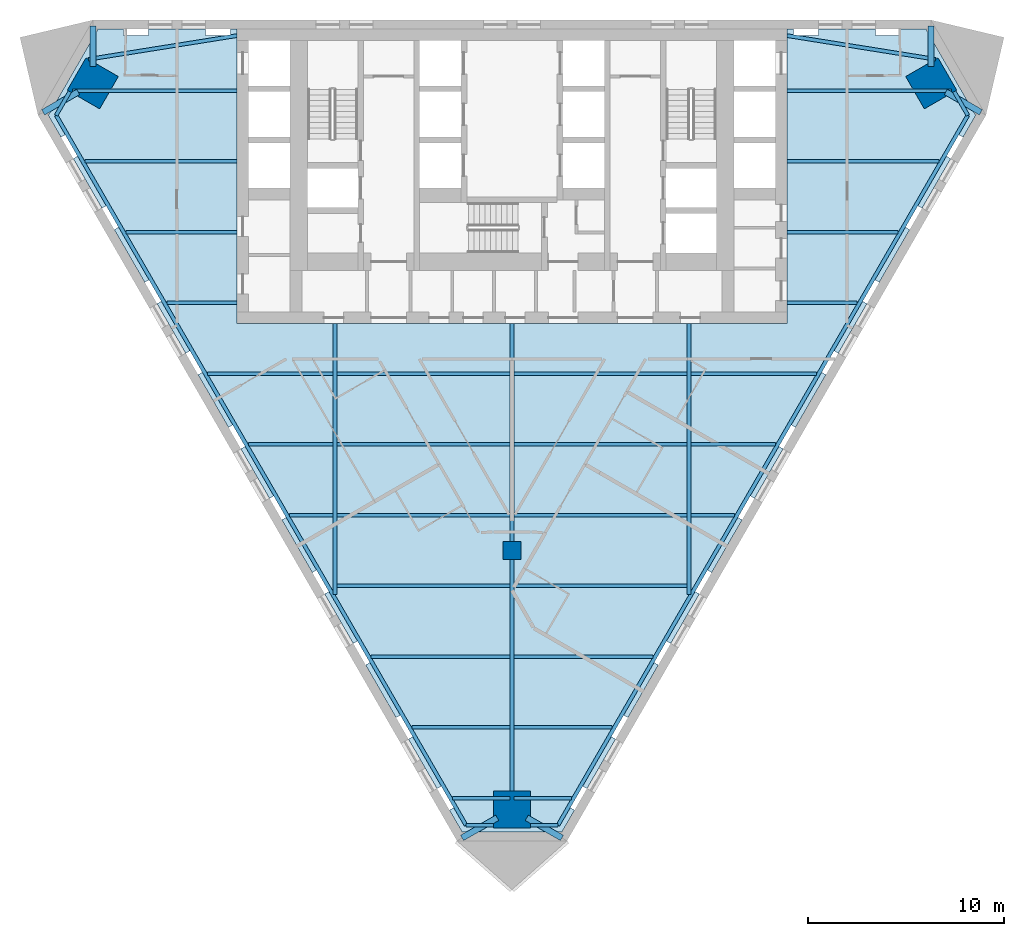
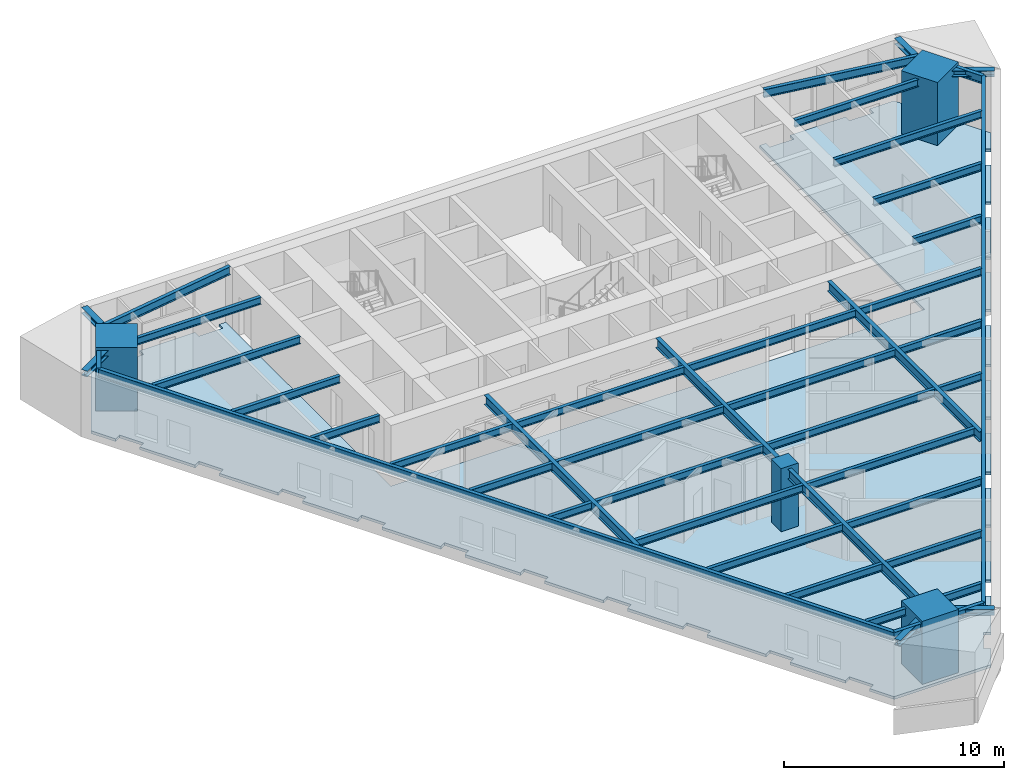
# One storey, part 1 of 9: 46 beams, 4 columns, 1 slab.
"""IFC4 building model written with IfcOpenShell, lengths in metres."""

from ifc_helpers import new_model, si_unit, direction, frame, origin, origin_2d, place, context, subcontext, project, spatial, polyline, rectangle, i_section, outline, extrude, material, layer, layer_set, material_profile, profile_set, type_object, element, save


model = new_model("IFC4")

# Units and contexts
model_context = context("Model", 3, precision=1e-05, world=origin(), true_north=direction((0.0, 1.0)))
body_context = subcontext(model_context, "Body", "Model", "MODEL_VIEW")
ifc_project = project(units=[si_unit("LENGTHUNIT", "METRE"), si_unit("AREAUNIT", "SQUARE_METRE"), si_unit("VOLUMEUNIT", "CUBIC_METRE"), si_unit("PLANEANGLEUNIT", "RADIAN"), si_unit("MASSUNIT", "GRAM", prefix="KILO")], contexts=[model_context])

# Site, building, storey
site_placement = place(None, origin())
site = spatial("IfcSite", under=ifc_project, at=site_placement, CompositionType="ELEMENT")
building_placement = place(site_placement, origin())
building = spatial("IfcBuilding", under=site, at=building_placement, Name="Aloe Facet Convention Tower", CompositionType="ELEMENT")
storey_placement = place(building_placement, frame((0.0, 0.0, 106.300048828125)))
storey = spatial("IfcBuildingStorey", under=building, at=storey_placement, Name="L26", CompositionType="ELEMENT", Elevation=106.300048828125)

# Columns
ifc_material_1 = material(Name="Concrete C70/85", Category="concrete")
ifc_material_profile_1 = material_profile(ifc_material_1, rectangle(XDim=0.89990234375, YDim=0.89990234375, at=origin_2d()), Name="SF-GC-Z2")
ifc_profile_set_1 = profile_set([ifc_material_profile_1], Name="Concrete C70/85")
column_type_1 = type_object("IfcColumnType", Name="SF-GC-Z2", PredefinedType="COLUMN", material=ifc_profile_set_1)
column_placement = place(storey_placement, frame((80.0, 108.0, 0.0), z_axis=(0.0, 0.0, 1.0), x_axis=(1.0, 0.0, 0.0)))
element("IfcColumn", 1, at=column_placement, inside=storey, type_object=column_type_1, Name="Gravity column GC-Z2-9D", PredefinedType="COLUMN", context=body_context, shape_type="SweptSolid", body=[
    extrude(rectangle(XDim=0.89990234375, YDim=0.89990234375, at=origin_2d()), origin(), (0.0, 0.0, 1.0), 3.5),
])
ifc_material_2 = material(Name="Concrete C80/95", Category="concrete")
ifc_material_profile_2 = material_profile(ifc_material_2, rectangle(XDim=1.89990234375, YDim=1.89990234375, at=origin_2d()), Name="STW-MC-Z2")
ifc_profile_set_2 = profile_set([ifc_material_profile_2], Name="Concrete C80/95")
column_type_2 = type_object("IfcColumnType", Name="STW-MC-Z2", PredefinedType="COLUMN", material=ifc_profile_set_2)
for number, where, z_axis, x_axis, name in (
    (2, (101.3359375, 131.775146484375, 0.0), (0.0, 0.0, 1.0), (-0.5, 0.866025403784, 0.0), "Mega-column MC-NE-L26"),
    (3, (58.6640625, 131.775146484375, 0.0), (0.0, 0.0, 1.0), (-0.5, -0.866025403784, 0.0), "Mega-column MC-NW-L26"),
    (4, (80.0, 94.8203125, 0.0), (0.0, 0.0, 1.0), (1.0, 0.0, 0.0), "Mega-column MC-S-L26"),
):
    element("IfcColumn", number, at=place(storey_placement, frame(where, z_axis=z_axis, x_axis=x_axis)), inside=storey, type_object=column_type_2, Name=name, PredefinedType="COLUMN", context=body_context, shape_type="SweptSolid", body=[
        extrude(rectangle(XDim=1.89990234375, YDim=1.89990234375, at=origin_2d()), origin(), (0.0, 0.0, 1.0), 3.5),
    ])

# Beams
ifc_material_3 = material(Name="Steel S355", Category="steel")
ifc_material_profile_3 = material_profile(ifc_material_3, i_section(OverallWidth=0.177734375, OverallDepth=0.402587890625, WebThickness=0.0078125, FlangeThickness=0.010986328125, FilletRadius=0.01025390625, at=origin_2d()), Name="UB 406x178x54")
ifc_profile_set_3 = profile_set([ifc_material_profile_3], Name="Steel S355")
beam_type_1 = type_object("IfcBeamType", Name="SF-B-UB406x178x54", PredefinedType="BEAM", material=ifc_profile_set_3)
beam_1_placement = place(storey_placement, frame((57.6376953125, 131.39990234375, 3.148681640625), z_axis=(1.0, 0.0, 0.0), x_axis=(0.0, 1.0, 0.0)))
element("IfcBeam", 5, at=beam_1_placement, inside=storey, type_object=beam_type_1, Name="Floor beam FB-Z2B-013", PredefinedType="BEAM", context=body_context, shape_type="SweptSolid", body=[
    extrude(i_section(OverallWidth=0.177734375, OverallDepth=0.402587890625, WebThickness=0.0078125, FlangeThickness=0.010986328125, FilletRadius=0.01025390625, at=origin_2d()), origin(), (0.0, 0.0, 1.0), 8.3623046875),
])
beam_2_placement = place(storey_placement, frame((58.27294921875, 127.800048828125, 3.148681640625), z_axis=(1.0, 0.0, 0.0), x_axis=(0.0, 1.0, 0.0)))
element("IfcBeam", 6, at=beam_2_placement, inside=storey, type_object=beam_type_1, Name="Floor beam FB-Z2B-014", PredefinedType="BEAM", context=body_context, shape_type="SweptSolid", body=[
    extrude(i_section(OverallWidth=0.177734375, OverallDepth=0.402587890625, WebThickness=0.0078125, FlangeThickness=0.010986328125, FilletRadius=0.01025390625, at=origin_2d()), origin(), (0.0, 0.0, 1.0), 7.72705078125),
])
beam_3_placement = place(storey_placement, frame((60.351318359375, 124.199951171875, 3.148681640625), z_axis=(1.0, 0.0, 0.0), x_axis=(0.0, 1.0, 0.0)))
element("IfcBeam", 7, at=beam_3_placement, inside=storey, type_object=beam_type_1, Name="Floor beam FB-Z2B-015", PredefinedType="BEAM", context=body_context, shape_type="SweptSolid", body=[
    extrude(i_section(OverallWidth=0.177734375, OverallDepth=0.402587890625, WebThickness=0.0078125, FlangeThickness=0.010986328125, FilletRadius=0.01025390625, at=origin_2d()), origin(), (0.0, 0.0, 1.0), 5.648681640625),
])
beam_4_placement = place(storey_placement, frame((62.429931640625, 120.60009765625, 3.148681640625), z_axis=(1.0, 0.0, 0.0), x_axis=(0.0, 1.0, 0.0)))
element("IfcBeam", 8, at=beam_4_placement, inside=storey, type_object=beam_type_1, Name="Floor beam FB-Z2B-016", PredefinedType="BEAM", context=body_context, shape_type="SweptSolid", body=[
    extrude(i_section(OverallWidth=0.177734375, OverallDepth=0.402587890625, WebThickness=0.0078125, FlangeThickness=0.010986328125, FilletRadius=0.01025390625, at=origin_2d()), origin(), (0.0, 0.0, 1.0), 3.570068359375),
])
beam_5_placement = place(storey_placement, frame((64.50830078125, 117.0, 3.148681640625), z_axis=(1.0, 0.0, 0.0), x_axis=(0.0, 1.0, 0.0)))
element("IfcBeam", 9, at=beam_5_placement, inside=storey, type_object=beam_type_1, Name="Floor beam FB-Z2B-017", PredefinedType="BEAM", context=body_context, shape_type="SweptSolid", body=[
    extrude(i_section(OverallWidth=0.177734375, OverallDepth=0.402587890625, WebThickness=0.0078125, FlangeThickness=0.010986328125, FilletRadius=0.01025390625, at=origin_2d()), origin(), (0.0, 0.0, 1.0), 6.38623046875),
])
beam_6_placement = place(storey_placement, frame((66.5869140625, 113.39990234375, 3.148681640625), z_axis=(1.0, 0.0, 0.0), x_axis=(0.0, 1.0, 0.0)))
element("IfcBeam", 10, at=beam_6_placement, inside=storey, type_object=beam_type_1, Name="Floor beam FB-Z2B-018", PredefinedType="BEAM", context=body_context, shape_type="SweptSolid", body=[
    extrude(i_section(OverallWidth=0.177734375, OverallDepth=0.402587890625, WebThickness=0.0078125, FlangeThickness=0.010986328125, FilletRadius=0.01025390625, at=origin_2d()), origin(), (0.0, 0.0, 1.0), 4.3076171875),
])
beam_7_placement = place(storey_placement, frame((68.665283203125, 109.800048828125, 3.148681640625), z_axis=(1.0, 0.0, 0.0), x_axis=(0.0, 1.0, 0.0)))
element("IfcBeam", 11, at=beam_7_placement, inside=storey, type_object=beam_type_1, Name="Floor beam FB-Z2B-019", PredefinedType="BEAM", context=body_context, shape_type="SweptSolid", body=[
    extrude(i_section(OverallWidth=0.177734375, OverallDepth=0.402587890625, WebThickness=0.0078125, FlangeThickness=0.010986328125, FilletRadius=0.01025390625, at=origin_2d()), origin(), (0.0, 0.0, 1.0), 2.229248046875),
])
for number, where, z_axis, x_axis, name in (
    (12, (71.10546875, 106.199951171875, 3.148681640625), (1.0, 0.0, 0.0), (0.0, 1.0, 0.0), "Floor beam FB-Z2B-020"),
    (13, (71.10546875, 109.800048828125, 3.148681640625), (1.0, 0.0, 0.0), (0.0, 1.0, 0.0), "Floor beam FB-Z2B-021"),
    (14, (71.10546875, 113.39990234375, 3.148681640625), (1.0, 0.0, 0.0), (0.0, 1.0, 0.0), "Floor beam FB-Z2B-022"),
    (15, (71.10546875, 117.0, 3.148681640625), (1.0, 0.0, 0.0), (0.0, 1.0, 0.0), "Floor beam FB-Z2B-023"),
):
    element("IfcBeam", number, at=place(storey_placement, frame(where, z_axis=z_axis, x_axis=x_axis)), inside=storey, type_object=beam_type_1, Name=name, PredefinedType="BEAM", context=body_context, shape_type="SweptSolid", body=[
        extrude(i_section(OverallWidth=0.177734375, OverallDepth=0.402587890625, WebThickness=0.0078125, FlangeThickness=0.010986328125, FilletRadius=0.01025390625, at=origin_2d()), origin(), (0.0, 0.0, 1.0), 8.7890625),
    ])
beam_8_placement = place(storey_placement, frame((72.822265625, 102.60009765625, 3.148681640625), z_axis=(1.0, 0.0, 0.0), x_axis=(0.0, 1.0, 0.0)))
element("IfcBeam", 16, at=beam_8_placement, inside=storey, type_object=beam_type_1, Name="Floor beam FB-Z2B-024", PredefinedType="BEAM", context=body_context, shape_type="SweptSolid", body=[
    extrude(i_section(OverallWidth=0.177734375, OverallDepth=0.402587890625, WebThickness=0.0078125, FlangeThickness=0.010986328125, FilletRadius=0.01025390625, at=origin_2d()), origin(), (0.0, 0.0, 1.0), 7.072265625),
])
beam_9_placement = place(storey_placement, frame((74.900634765625, 99.0, 3.148681640625), z_axis=(1.0, 0.0, 0.0), x_axis=(0.0, 1.0, 0.0)))
element("IfcBeam", 17, at=beam_9_placement, inside=storey, type_object=beam_type_1, Name="Floor beam FB-Z2B-025", PredefinedType="BEAM", context=body_context, shape_type="SweptSolid", body=[
    extrude(i_section(OverallWidth=0.177734375, OverallDepth=0.402587890625, WebThickness=0.0078125, FlangeThickness=0.010986328125, FilletRadius=0.01025390625, at=origin_2d()), origin(), (0.0, 0.0, 1.0), 4.993896484375),
])
for number, where, z_axis, x_axis, name in (
    (18, (76.97900390625, 95.39990234375, 3.148681640625), (1.0, 0.0, 0.0), (0.0, 1.0, 0.0), "Floor beam FB-Z2B-026"),
    (19, (80.10546875, 95.39990234375, 3.148681640625), (1.0, 0.0, 0.0), (0.0, 1.0, 0.0), "Floor beam FB-Z2B-027"),
):
    element("IfcBeam", number, at=place(storey_placement, frame(where, z_axis=z_axis, x_axis=x_axis)), inside=storey, type_object=beam_type_1, Name=name, PredefinedType="BEAM", context=body_context, shape_type="SweptSolid", body=[
        extrude(i_section(OverallWidth=0.177734375, OverallDepth=0.402587890625, WebThickness=0.0078125, FlangeThickness=0.010986328125, FilletRadius=0.01025390625, at=origin_2d()), origin(), (0.0, 0.0, 1.0), 2.91552734375),
    ])
beam_10_placement = place(storey_placement, frame((80.10546875, 99.0, 3.148681640625), z_axis=(1.0, 0.0, 0.0), x_axis=(0.0, 1.0, 0.0)))
element("IfcBeam", 20, at=beam_10_placement, inside=storey, type_object=beam_type_1, Name="Floor beam FB-Z2B-028", PredefinedType="BEAM", context=body_context, shape_type="SweptSolid", body=[
    extrude(i_section(OverallWidth=0.177734375, OverallDepth=0.402587890625, WebThickness=0.0078125, FlangeThickness=0.010986328125, FilletRadius=0.01025390625, at=origin_2d()), origin(), (0.0, 0.0, 1.0), 4.993896484375),
])
beam_11_placement = place(storey_placement, frame((80.10546875, 102.60009765625, 3.148681640625), z_axis=(1.0, 0.0, 0.0), x_axis=(0.0, 1.0, 0.0)))
element("IfcBeam", 21, at=beam_11_placement, inside=storey, type_object=beam_type_1, Name="Floor beam FB-Z2B-029", PredefinedType="BEAM", context=body_context, shape_type="SweptSolid", body=[
    extrude(i_section(OverallWidth=0.177734375, OverallDepth=0.402587890625, WebThickness=0.0078125, FlangeThickness=0.010986328125, FilletRadius=0.01025390625, at=origin_2d()), origin(), (0.0, 0.0, 1.0), 7.072265625),
])
for number, where, z_axis, x_axis, name in (
    (22, (80.10546875, 106.199951171875, 3.148681640625), (1.0, 0.0, 0.0), (0.0, 1.0, 0.0), "Floor beam FB-Z2B-030"),
    (23, (80.10546875, 109.800048828125, 3.148681640625), (1.0, 0.0, 0.0), (0.0, 1.0, 0.0), "Floor beam FB-Z2B-031"),
    (24, (80.10546875, 113.39990234375, 3.148681640625), (1.0, 0.0, 0.0), (0.0, 1.0, 0.0), "Floor beam FB-Z2B-032"),
    (25, (80.10546875, 117.0, 3.148681640625), (1.0, 0.0, 0.0), (0.0, 1.0, 0.0), "Floor beam FB-Z2B-033"),
):
    element("IfcBeam", number, at=place(storey_placement, frame(where, z_axis=z_axis, x_axis=x_axis)), inside=storey, type_object=beam_type_1, Name=name, PredefinedType="BEAM", context=body_context, shape_type="SweptSolid", body=[
        extrude(i_section(OverallWidth=0.177734375, OverallDepth=0.402587890625, WebThickness=0.0078125, FlangeThickness=0.010986328125, FilletRadius=0.01025390625, at=origin_2d()), origin(), (0.0, 0.0, 1.0), 8.7890625),
    ])
beam_12_placement = place(storey_placement, frame((89.10546875, 109.800048828125, 3.148681640625), z_axis=(1.0, 0.0, 0.0), x_axis=(0.0, 1.0, 0.0)))
element("IfcBeam", 26, at=beam_12_placement, inside=storey, type_object=beam_type_1, Name="Floor beam FB-Z2B-034", PredefinedType="BEAM", context=body_context, shape_type="SweptSolid", body=[
    extrude(i_section(OverallWidth=0.177734375, OverallDepth=0.402587890625, WebThickness=0.0078125, FlangeThickness=0.010986328125, FilletRadius=0.01025390625, at=origin_2d()), origin(), (0.0, 0.0, 1.0), 2.229248046875),
])
beam_13_placement = place(storey_placement, frame((89.10546875, 113.39990234375, 3.148681640625), z_axis=(1.0, 0.0, 0.0), x_axis=(0.0, 1.0, 0.0)))
element("IfcBeam", 27, at=beam_13_placement, inside=storey, type_object=beam_type_1, Name="Floor beam FB-Z2B-035", PredefinedType="BEAM", context=body_context, shape_type="SweptSolid", body=[
    extrude(i_section(OverallWidth=0.177734375, OverallDepth=0.402587890625, WebThickness=0.0078125, FlangeThickness=0.010986328125, FilletRadius=0.01025390625, at=origin_2d()), origin(), (0.0, 0.0, 1.0), 4.3076171875),
])
beam_14_placement = place(storey_placement, frame((89.10546875, 117.0, 3.148681640625), z_axis=(1.0, 0.0, 0.0), x_axis=(0.0, 1.0, 0.0)))
element("IfcBeam", 28, at=beam_14_placement, inside=storey, type_object=beam_type_1, Name="Floor beam FB-Z2B-036", PredefinedType="BEAM", context=body_context, shape_type="SweptSolid", body=[
    extrude(i_section(OverallWidth=0.177734375, OverallDepth=0.402587890625, WebThickness=0.0078125, FlangeThickness=0.010986328125, FilletRadius=0.01025390625, at=origin_2d()), origin(), (0.0, 0.0, 1.0), 6.38623046875),
])
beam_15_placement = place(storey_placement, frame((94.0, 120.60009765625, 3.148681640625), z_axis=(1.0, 0.0, 0.0), x_axis=(0.0, 1.0, 0.0)))
element("IfcBeam", 29, at=beam_15_placement, inside=storey, type_object=beam_type_1, Name="Floor beam FB-Z2B-037", PredefinedType="BEAM", context=body_context, shape_type="SweptSolid", body=[
    extrude(i_section(OverallWidth=0.177734375, OverallDepth=0.402587890625, WebThickness=0.0078125, FlangeThickness=0.010986328125, FilletRadius=0.01025390625, at=origin_2d()), origin(), (0.0, 0.0, 1.0), 3.570068359375),
])
beam_16_placement = place(storey_placement, frame((94.0, 124.199951171875, 3.148681640625), z_axis=(1.0, 0.0, 0.0), x_axis=(0.0, 1.0, 0.0)))
element("IfcBeam", 30, at=beam_16_placement, inside=storey, type_object=beam_type_1, Name="Floor beam FB-Z2B-038", PredefinedType="BEAM", context=body_context, shape_type="SweptSolid", body=[
    extrude(i_section(OverallWidth=0.177734375, OverallDepth=0.402587890625, WebThickness=0.0078125, FlangeThickness=0.010986328125, FilletRadius=0.01025390625, at=origin_2d()), origin(), (0.0, 0.0, 1.0), 5.648681640625),
])
beam_17_placement = place(storey_placement, frame((94.0, 127.800048828125, 3.148681640625), z_axis=(1.0, 0.0, 0.0), x_axis=(0.0, 1.0, 0.0)))
element("IfcBeam", 31, at=beam_17_placement, inside=storey, type_object=beam_type_1, Name="Floor beam FB-Z2B-039", PredefinedType="BEAM", context=body_context, shape_type="SweptSolid", body=[
    extrude(i_section(OverallWidth=0.177734375, OverallDepth=0.402587890625, WebThickness=0.0078125, FlangeThickness=0.010986328125, FilletRadius=0.01025390625, at=origin_2d()), origin(), (0.0, 0.0, 1.0), 7.72705078125),
])
beam_18_placement = place(storey_placement, frame((94.0, 131.39990234375, 3.148681640625), z_axis=(1.0, 0.0, 0.0), x_axis=(0.0, 1.0, 0.0)))
element("IfcBeam", 32, at=beam_18_placement, inside=storey, type_object=beam_type_1, Name="Floor beam FB-Z2B-040", PredefinedType="BEAM", context=body_context, shape_type="SweptSolid", body=[
    extrude(i_section(OverallWidth=0.177734375, OverallDepth=0.402587890625, WebThickness=0.0078125, FlangeThickness=0.010986328125, FilletRadius=0.01025390625, at=origin_2d()), origin(), (0.0, 0.0, 1.0), 8.3623046875),
])
ifc_material_4 = material(Name="Steel S355", Category="steel")
ifc_material_profile_4 = material_profile(ifc_material_4, i_section(OverallWidth=0.18994140625, OverallDepth=0.453369140625, WebThickness=0.008544921875, FlangeThickness=0.0126953125, FilletRadius=0.01025390625, at=origin_2d()), Name="UB 457x191x67")
ifc_profile_set_4 = profile_set([ifc_material_profile_4], Name="Steel S355")
beam_type_2 = type_object("IfcBeamType", Name="SF-B-UB457x191x67", PredefinedType="BEAM", material=ifc_profile_set_4)
beam_19_placement = place(storey_placement, frame((56.79638671875, 130.150390625, 3.123291015625), z_axis=(0.500046568876, 0.865998515562, 0.0), x_axis=(-0.865998515562, 0.500046568876, 0.0)))
element("IfcBeam", 33, at=beam_19_placement, inside=storey, type_object=beam_type_2, Name="Floor beam FB-Z2B-001", PredefinedType="BEAM", context=body_context, shape_type="SweptSolid", body=[
    extrude(i_section(OverallWidth=0.18994140625, OverallDepth=0.453369140625, WebThickness=0.008544921875, FlangeThickness=0.0126953125, FilletRadius=0.01025390625, at=origin_2d()), origin(), (0.0, 0.0, 1.0), 1.390869140625),
])
beam_20_placement = place(storey_placement, frame((58.44189453125, 133.00048828125, 3.123291015625), z_axis=(0.987536396348, 0.15739080624, 0.0), x_axis=(-0.15739080624, 0.987536396348, 0.0)))
element("IfcBeam", 34, at=beam_20_placement, inside=storey, type_object=beam_type_2, Name="Floor beam FB-Z2B-002", PredefinedType="BEAM", context=body_context, shape_type="SweptSolid", body=[
    extrude(i_section(OverallWidth=0.18994140625, OverallDepth=0.453369140625, WebThickness=0.008544921875, FlangeThickness=0.0126953125, FilletRadius=0.01025390625, at=origin_2d()), origin(), (0.0, 0.0, 1.0), 7.653564453125),
])
beam_21_placement = place(storey_placement, frame((77.658935546875, 94.01513671875, 3.123291015625), z_axis=(-0.499997308433, 0.866026957756, 0.0), x_axis=(-0.866026957756, -0.499997308433, 0.0)))
element("IfcBeam", 35, at=beam_21_placement, inside=storey, type_object=beam_type_2, Name="Floor beam FB-Z2B-003", PredefinedType="BEAM", context=body_context, shape_type="SweptSolid", body=[
    extrude(i_section(OverallWidth=0.18994140625, OverallDepth=0.453369140625, WebThickness=0.008544921875, FlangeThickness=0.0126953125, FilletRadius=0.01025390625, at=origin_2d()), origin(), (0.0, 0.0, 1.0), 41.725341796875),
])
for number, where, z_axis, x_axis, name in (
    (36, (79.050048828125, 94.01513671875, 3.123291015625), (-1.0, 0.0, 0.0), (0.0, -1.0, 0.0), "Floor beam FB-Z2B-004"),
    (37, (82.341064453125, 94.01513671875, 3.123291015625), (-1.0, 0.0, 0.0), (0.0, -1.0, 0.0), "Floor beam FB-Z2B-005"),
):
    element("IfcBeam", number, at=place(storey_placement, frame(where, z_axis=z_axis, x_axis=x_axis)), inside=storey, type_object=beam_type_2, Name=name, PredefinedType="BEAM", context=body_context, shape_type="SweptSolid", body=[
        extrude(i_section(OverallWidth=0.18994140625, OverallDepth=0.453369140625, WebThickness=0.008544921875, FlangeThickness=0.0126953125, FilletRadius=0.01025390625, at=origin_2d()), origin(), (0.0, 0.0, 1.0), 1.39111328125),
    ])
beam_22_placement = place(storey_placement, frame((101.55810546875, 133.00048828125, 3.123291015625), z_axis=(-0.987536396348, 0.15739080624, 0.0), x_axis=(-0.15739080624, -0.987536396348, 0.0)))
element("IfcBeam", 38, at=beam_22_placement, inside=storey, type_object=beam_type_2, Name="Floor beam FB-Z2B-006", PredefinedType="BEAM", context=body_context, shape_type="SweptSolid", body=[
    extrude(i_section(OverallWidth=0.18994140625, OverallDepth=0.453369140625, WebThickness=0.008544921875, FlangeThickness=0.0126953125, FilletRadius=0.01025390625, at=origin_2d()), origin(), (0.0, 0.0, 1.0), 7.653564453125),
])
beam_23_placement = place(storey_placement, frame((102.508056640625, 131.35498046875, 3.123291015625), z_axis=(0.500046568876, -0.865998515562, 0.0), x_axis=(0.865998515562, 0.500046568876, 0.0)))
element("IfcBeam", 39, at=beam_23_placement, inside=storey, type_object=beam_type_2, Name="Floor beam FB-Z2B-007", PredefinedType="BEAM", context=body_context, shape_type="SweptSolid", body=[
    extrude(i_section(OverallWidth=0.18994140625, OverallDepth=0.453369140625, WebThickness=0.008544921875, FlangeThickness=0.0126953125, FilletRadius=0.01025390625, at=origin_2d()), origin(), (0.0, 0.0, 1.0), 1.390869140625),
])
beam_24_placement = place(storey_placement, frame((103.20361328125, 130.150390625, 3.123291015625), z_axis=(-0.499997308433, -0.866026957756, 0.0), x_axis=(0.866026957756, -0.499997308433, 0.0)))
element("IfcBeam", 40, at=beam_24_placement, inside=storey, type_object=beam_type_2, Name="Floor beam FB-Z2B-008", PredefinedType="BEAM", context=body_context, shape_type="SweptSolid", body=[
    extrude(i_section(OverallWidth=0.18994140625, OverallDepth=0.453369140625, WebThickness=0.008544921875, FlangeThickness=0.0126953125, FilletRadius=0.01025390625, at=origin_2d()), origin(), (0.0, 0.0, 1.0), 41.725341796875),
])
ifc_material_5 = material(Name="Steel S355", Category="steel")
ifc_material_profile_5 = material_profile(ifc_material_5, i_section(OverallWidth=0.210693359375, OverallDepth=0.53955078125, WebThickness=0.01171875, FlangeThickness=0.018798828125, FilletRadius=0.0126953125, at=origin_2d()), Name="UB 533x210x109")
ifc_profile_set_5 = profile_set([ifc_material_profile_5], Name="Steel S355")
beam_type_3 = type_object("IfcBeamType", Name="SF-B-UB533x210x109", PredefinedType="BEAM", material=ifc_profile_set_5)
beam_25_placement = place(storey_placement, frame((71.0, 119.550048828125, 3.080078125), z_axis=(0.0, -1.0, 0.0), x_axis=(1.0, 0.0, 0.0)))
element("IfcBeam", 41, at=beam_25_placement, inside=storey, type_object=beam_type_3, Name="Floor beam FB-Z2B-009", PredefinedType="BEAM", context=body_context, shape_type="SweptSolid", body=[
    extrude(i_section(OverallWidth=0.210693359375, OverallDepth=0.53955078125, WebThickness=0.01171875, FlangeThickness=0.018798828125, FilletRadius=0.0126953125, at=origin_2d()), origin(), (0.0, 0.0, 1.0), 13.80126953125),
])
beam_26_placement = place(storey_placement, frame((80.0, 107.550048828125, 3.080078125), z_axis=(0.0, -1.0, 0.0), x_axis=(1.0, 0.0, 0.0)))
element("IfcBeam", 42, at=beam_26_placement, inside=storey, type_object=beam_type_3, Name="Floor beam FB-Z2B-010", PredefinedType="BEAM", context=body_context, shape_type="SweptSolid", body=[
    extrude(i_section(OverallWidth=0.210693359375, OverallDepth=0.53955078125, WebThickness=0.01171875, FlangeThickness=0.018798828125, FilletRadius=0.0126953125, at=origin_2d()), origin(), (0.0, 0.0, 1.0), 13.429931640625),
])
beam_27_placement = place(storey_placement, frame((80.0, 119.550048828125, 3.080078125), z_axis=(0.0, -1.0, 0.0), x_axis=(1.0, 0.0, 0.0)))
element("IfcBeam", 43, at=beam_27_placement, inside=storey, type_object=beam_type_3, Name="Floor beam FB-Z2B-011", PredefinedType="BEAM", context=body_context, shape_type="SweptSolid", body=[
    extrude(i_section(OverallWidth=0.210693359375, OverallDepth=0.53955078125, WebThickness=0.01171875, FlangeThickness=0.018798828125, FilletRadius=0.0126953125, at=origin_2d()), origin(), (0.0, 0.0, 1.0), 11.10009765625),
])
beam_28_placement = place(storey_placement, frame((89.0, 119.550048828125, 3.080078125), z_axis=(0.0, -1.0, 0.0), x_axis=(1.0, 0.0, 0.0)))
element("IfcBeam", 44, at=beam_28_placement, inside=storey, type_object=beam_type_3, Name="Floor beam FB-Z2B-012", PredefinedType="BEAM", context=body_context, shape_type="SweptSolid", body=[
    extrude(i_section(OverallWidth=0.210693359375, OverallDepth=0.53955078125, WebThickness=0.01171875, FlangeThickness=0.018798828125, FilletRadius=0.0126953125, at=origin_2d()), origin(), (0.0, 0.0, 1.0), 13.80126953125),
])
ifc_material_6 = material(Name="Steel S355", Category="steel")
ifc_material_profile_6 = material_profile(ifc_material_6, i_section(OverallWidth=0.311279296875, OverallDepth=0.3271484375, WebThickness=0.015869140625, FlangeThickness=0.02490234375, FilletRadius=0.01513671875, at=origin_2d()), Name="UC 305x305x158")
ifc_profile_set_6 = profile_set([ifc_material_profile_6], Name="Steel S355")
beam_type_4 = type_object("IfcBeamType", Name="STW-NT", PredefinedType="BEAM", material=ifc_profile_set_6)
for number, where, z_axis, x_axis, name in (
    (45, (101.321533203125, 134.699951171875, 3.186279296875), (0.004856036549, -0.999988209385, 0.0), (0.999988209385, 0.004856036549, 0.0), "Lattice tie NT-Z2-F1-R4-01"),
    (46, (58.678466796875, 134.699951171875, 3.186279296875), (-0.004856036549, -0.999988209385, 0.0), (0.999988209385, -0.004856036549, 0.0), "Lattice tie NT-Z2-F1-R4-06"),
):
    element("IfcBeam", number, at=place(storey_placement, frame(where, z_axis=z_axis, x_axis=x_axis)), inside=storey, type_object=beam_type_4, Name=name, PredefinedType="BEAM", context=body_context, shape_type="SweptSolid", body=[
        extrude(i_section(OverallWidth=0.311279296875, OverallDepth=0.3271484375, WebThickness=0.015869140625, FlangeThickness=0.02490234375, FilletRadius=0.01513671875, at=origin_2d()), origin(), (0.0, 0.0, 1.0), 2.061279296875),
    ])
beam_29_placement = place(storey_placement, frame((56.13818359375, 130.30029296875, 3.186279296875), z_axis=(0.863607032056, 0.504165542439, 0.0), x_axis=(-0.504165542439, 0.863607032056, 0.0)))
element("IfcBeam", 47, at=beam_29_placement, inside=storey, type_object=beam_type_4, Name="Lattice tie NT-Z2-F2-R4-01", PredefinedType="BEAM", context=body_context, shape_type="SweptSolid", body=[
    extrude(i_section(OverallWidth=0.311279296875, OverallDepth=0.3271484375, WebThickness=0.015869140625, FlangeThickness=0.02490234375, FilletRadius=0.01513671875, at=origin_2d()), origin(), (0.0, 0.0, 1.0), 2.0615234375),
])
for number, where, z_axis, x_axis, name in (
    (48, (77.459716796875, 93.370361328125, 3.186279296875), (0.868512690203, 0.495666931474, 0.0), (-0.495666931474, 0.868512690203, 0.0), "Lattice tie NT-Z2-F2-R4-06"),
    (49, (82.540283203125, 93.370361328125, 3.186279296875), (-0.868512690203, 0.495666931474, 0.0), (-0.495666931474, -0.868512690203, 0.0), "Lattice tie NT-Z2-F3-R4-01"),
):
    element("IfcBeam", number, at=place(storey_placement, frame(where, z_axis=z_axis, x_axis=x_axis)), inside=storey, type_object=beam_type_4, Name=name, PredefinedType="BEAM", context=body_context, shape_type="SweptSolid", body=[
        extrude(i_section(OverallWidth=0.311279296875, OverallDepth=0.3271484375, WebThickness=0.015869140625, FlangeThickness=0.02490234375, FilletRadius=0.01513671875, at=origin_2d()), origin(), (0.0, 0.0, 1.0), 2.061279296875),
    ])
beam_30_placement = place(storey_placement, frame((103.86181640625, 130.30029296875, 3.186279296875), z_axis=(-0.863607032056, 0.504165542439, 0.0), x_axis=(-0.504165542439, -0.863607032056, 0.0)))
element("IfcBeam", 50, at=beam_30_placement, inside=storey, type_object=beam_type_4, Name="Lattice tie NT-Z2-F3-R4-06", PredefinedType="BEAM", context=body_context, shape_type="SweptSolid", body=[
    extrude(i_section(OverallWidth=0.311279296875, OverallDepth=0.3271484375, WebThickness=0.015869140625, FlangeThickness=0.02490234375, FilletRadius=0.01513671875, at=origin_2d()), origin(), (0.0, 0.0, 1.0), 2.0615234375),
])

# Slab
ifc_material_7 = material(Name="Concrete C35/45", Category="concrete")
ifc_layer = layer(ifc_material_7, 0.14990234375)
ifc_layer_set = layer_set([ifc_layer], Name="SF-FS-150")
slab_type = type_object("IfcSlabType", Name="SF-FS-150", PredefinedType="FLOOR", material=ifc_layer_set)
slab_placement = place(storey_placement, frame((0.0, 0.0, -0.150146484375)))
element("IfcSlab", 51, at=slab_placement, inside=storey, type_object=slab_type, Name="Floor slab L26-1", PredefinedType="FLOOR", context=body_context, shape_type="SweptSolid", body=[
    extrude(outline(polyline([(103.601806640625, 130.150390625), (102.95849609375, 129.035888671875), (102.655517578125, 129.210693359375), (102.024169921875, 128.11767578125), (102.327392578125, 127.942626953125), (100.8720703125, 125.421875), (100.56884765625, 125.596923828125), (99.937744140625, 124.503662109375), (100.240966796875, 124.32861328125), (98.694091796875, 121.64990234375), (98.39111328125, 121.82470703125), (97.760009765625, 120.731689453125), (98.06298828125, 120.556640625), (96.607666015625, 118.035888671875), (96.3046875, 118.2109375), (95.67333984375, 117.11767578125), (95.9765625, 116.942626953125), (94.429931640625, 114.263916015625), (94.126708984375, 114.438720703125), (93.49560546875, 113.345703125), (93.798583984375, 113.170654296875), (92.343505859375, 110.64990234375), (92.040283203125, 110.824951171875), (91.4091796875, 109.731689453125), (91.712158203125, 109.556640625), (90.16552734375, 106.877685546875), (89.862548828125, 107.052734375), (89.231201171875, 105.959716796875), (89.534423828125, 105.78466796875), (88.0791015625, 103.263916015625), (87.77587890625, 103.43896484375), (87.144775390625, 102.345703125), (87.447998046875, 102.170654296875), (85.9013671875, 99.49169921875), (85.59814453125, 99.666748046875), (84.967041015625, 98.573486328125), (85.27001953125, 98.398681640625), (83.814697265625, 95.8779296875), (83.51171875, 96.052978515625), (82.880615234375, 94.959716796875), (83.18359375, 94.78466796875), (82.540283203125, 93.67041015625), (77.459716796875, 93.67041015625), (76.81640625, 94.78466796875), (77.119384765625, 94.959716796875), (76.48828125, 96.052978515625), (76.185302734375, 95.8779296875), (74.72998046875, 98.398681640625), (75.032958984375, 98.573486328125), (74.40185546875, 99.666748046875), (74.0986328125, 99.49169921875), (72.552001953125, 102.170654296875), (72.855224609375, 102.345703125), (72.22412109375, 103.43896484375), (71.9208984375, 103.263916015625), (70.465576171875, 105.78466796875), (70.768798828125, 105.959716796875), (70.137451171875, 107.052734375), (69.83447265625, 106.877685546875), (68.287841796875, 109.556640625), (68.5908203125, 109.731689453125), (67.959716796875, 110.824951171875), (67.656494140625, 110.64990234375), (66.201416015625, 113.170654296875), (66.50439453125, 113.345703125), (65.873291015625, 114.438720703125), (65.570068359375, 114.263916015625), (64.0234375, 116.942626953125), (64.32666015625, 117.11767578125), (63.6953125, 118.2109375), (63.392333984375, 118.035888671875), (61.93701171875, 120.556640625), (62.239990234375, 120.731689453125), (61.60888671875, 121.82470703125), (61.305908203125, 121.64990234375), (59.759033203125, 124.32861328125), (60.062255859375, 124.503662109375), (59.43115234375, 125.596923828125), (59.1279296875, 125.421875), (57.672607421875, 127.942626953125), (57.975830078125, 128.11767578125), (57.344482421875, 129.210693359375), (57.04150390625, 129.035888671875), (56.398193359375, 130.150390625), (58.938232421875, 134.550048828125), (60.22509765625, 134.550048828125), (60.22509765625, 134.199951171875), (61.487548828125, 134.199951171875), (61.487548828125, 134.550048828125), (64.398193359375, 134.550048828125), (64.398193359375, 134.199951171875), (65.660400390625, 134.199951171875), (65.660400390625, 134.550048828125), (66.0, 134.550048828125), (66.0, 131.949951171875), (66.0, 131.050048828125), (66.0, 129.35009765625), (66.0, 128.449951171875), (66.0, 126.449951171875), (66.0, 125.85009765625), (66.0, 123.57373046875), (66.0, 122.523681640625), (66.0, 119.550048828125), (68.699951171875, 119.550048828125), (69.300048828125, 119.550048828125), (72.10009765625, 119.550048828125), (73.14990234375, 119.550048828125), (74.300048828125, 119.550048828125), (75.35009765625, 119.550048828125), (76.433349609375, 119.550048828125), (77.4833984375, 119.550048828125), (78.566650390625, 119.550048828125), (79.61669921875, 119.550048828125), (80.699951171875, 119.550048828125), (81.75, 119.550048828125), (82.64990234375, 119.550048828125), (83.699951171875, 119.550048828125), (84.64990234375, 119.550048828125), (85.699951171875, 119.550048828125), (86.85009765625, 119.550048828125), (87.89990234375, 119.550048828125), (90.699951171875, 119.550048828125), (91.300048828125, 119.550048828125), (94.0, 119.550048828125), (94.0, 121.8212890625), (94.0, 122.871337890625), (94.0, 123.89990234375), (94.0, 124.949951171875), (94.0, 125.85009765625), (94.0, 126.449951171875), (94.0, 128.449951171875), (94.0, 129.35009765625), (94.0, 131.050048828125), (94.0, 131.949951171875), (94.0, 134.550048828125), (94.339599609375, 134.550048828125), (94.339599609375, 134.199951171875), (95.601806640625, 134.199951171875), (95.601806640625, 134.550048828125), (98.512451171875, 134.550048828125), (98.512451171875, 134.199951171875), (99.77490234375, 134.199951171875), (99.77490234375, 134.550048828125), (101.061767578125, 134.550048828125), (103.601806640625, 130.150390625)]), holes=[polyline([(80.449951171875, 107.550048828125), (80.449951171875, 108.449951171875), (79.550048828125, 108.449951171875), (79.550048828125, 107.550048828125), (80.449951171875, 107.550048828125)]), polyline([(58.31640625, 133.072998046875), (57.366455078125, 131.427490234375), (59.01171875, 130.477294921875), (59.9619140625, 132.122802734375), (58.31640625, 133.072998046875)]), polyline([(79.050048828125, 93.870361328125), (80.949951171875, 93.870361328125), (80.949951171875, 95.770263671875), (79.050048828125, 95.770263671875), (79.050048828125, 93.870361328125)]), polyline([(102.633544921875, 131.427490234375), (101.68359375, 133.072998046875), (100.0380859375, 132.122802734375), (100.98828125, 130.477294921875), (102.633544921875, 131.427490234375)])]), origin(), (0.0, 0.0, 1.0), 0.150146484375),
])

save(model, "model.ifc")
